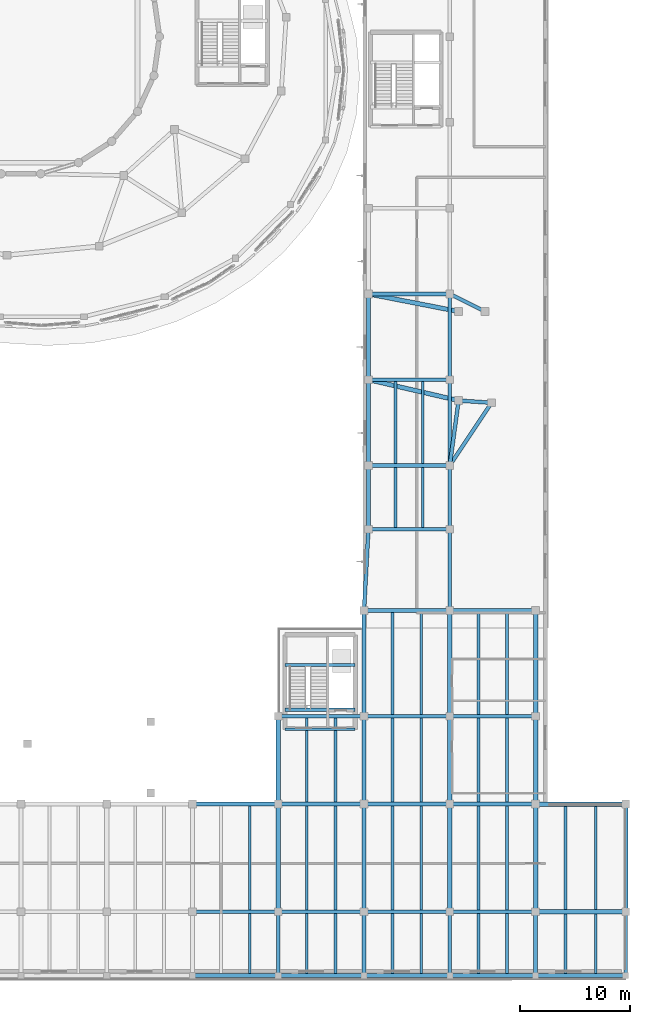
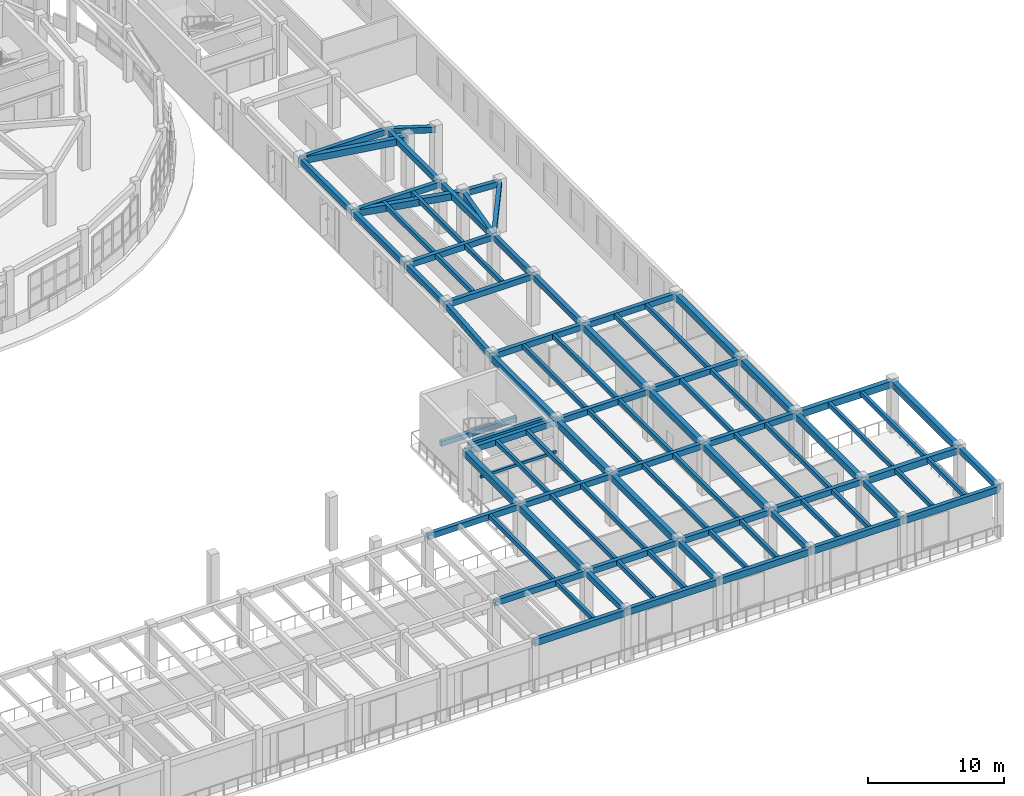
# One storey, part 47 of 98: 90 beams.
"""IFC4 building model written with IfcOpenShell, lengths in metres."""

from ifc_helpers import new_model, si_unit, direction, frame, origin, origin_2d, place, context, subcontext, project, spatial, rectangle, extrude, material, material_profile, profile_set, type_object, element, save


model = new_model("IFC4")

# Units and contexts
model_context = context("Model", 3, precision=1e-05, world=origin(), true_north=direction((0.0, 1.0)))
body_context = subcontext(model_context, "Body", "Model", "MODEL_VIEW")
ifc_project = project(units=[si_unit("LENGTHUNIT", "METRE"), si_unit("AREAUNIT", "SQUARE_METRE"), si_unit("VOLUMEUNIT", "CUBIC_METRE"), si_unit("PLANEANGLEUNIT", "RADIAN"), si_unit("MASSUNIT", "GRAM", prefix="KILO")], contexts=[model_context])

# Site, building, storey
site_placement = place(None, origin())
site = spatial("IfcSite", under=ifc_project, at=site_placement, CompositionType="ELEMENT")
building_placement = place(site_placement, origin())
building = spatial("IfcBuilding", under=site, at=building_placement, Name="Pelvatis Terrace Science Centre", CompositionType="ELEMENT")
storey_placement = place(building_placement, frame((0.0, 0.0, 5.39990234375)))
storey = spatial("IfcBuildingStorey", under=building, at=storey_placement, Name="L01", CompositionType="ELEMENT", Elevation=5.39990234375)

# Beams
ifc_material_1 = material(Name="Concrete C35/45", Category="concrete")
ifc_material_profile_1 = material_profile(ifc_material_1, rectangle(XDim=0.300048828125, YDim=0.449951171875, at=origin_2d()), Name="RC-BM 300x450")
ifc_profile_set_1 = profile_set([ifc_material_profile_1], Name="Concrete C35/45")
beam_type_1 = type_object("IfcBeamType", Name="BM-RC-300x450", PredefinedType="BEAM", material=ifc_profile_set_1)
beam_1_placement = place(storey_placement, frame((133.199951171875, 28.64990234375, 1.97509765625), z_axis=(1.0, 0.0, 0.0), x_axis=(0.0, 1.0, 0.0)))
element("IfcBeam", 1, at=beam_1_placement, inside=storey, type_object=beam_type_1, Name="Core C4 half-landing beam (L01)", PredefinedType="BEAM", context=body_context, shape_type="SweptSolid", body=[
    extrude(rectangle(XDim=0.300048828125, YDim=0.449951171875, at=origin_2d()), origin(), (0.0, 0.0, 1.0), 6.400146484375),
])
ifc_material_2 = material(Name="Concrete C35/45", Category="concrete")
ifc_material_profile_2 = material_profile(ifc_material_2, rectangle(XDim=0.320068359375, YDim=0.47998046875, at=origin_2d()), Name="RC-BM 320x480")
ifc_profile_set_2 = profile_set([ifc_material_profile_2], Name="Concrete C35/45")
beam_type_2 = type_object("IfcBeamType", Name="BM-RC-320x480", PredefinedType="BEAM", material=ifc_profile_set_2)
beam_2_placement = place(storey_placement, frame((133.199951171875, 24.60009765625, 4.300048828125), z_axis=(1.0, 0.0, 0.0), x_axis=(0.0, 1.0, 0.0)))
element("IfcBeam", 2, at=beam_2_placement, inside=storey, type_object=beam_type_2, Name="Core C4 stair header beam (L01)", PredefinedType="BEAM", context=body_context, shape_type="SweptSolid", body=[
    extrude(rectangle(XDim=0.320068359375, YDim=0.47998046875, at=origin_2d()), origin(), (0.0, 0.0, 1.0), 6.400146484375),
])
ifc_material_3 = material(Name="Concrete C35/45", Category="concrete")
ifc_material_profile_3 = material_profile(ifc_material_3, rectangle(XDim=0.340087890625, YDim=0.52001953125, at=origin_2d()), Name="RC-BM 340x520")
ifc_profile_set_3 = profile_set([ifc_material_profile_3], Name="Concrete C35/45")
beam_type_3 = type_object("IfcBeamType", Name="BM-RC-340x520", PredefinedType="BEAM", material=ifc_profile_set_3)
for number, where, z_axis, x_axis, name in (
    (3, (124.800048828125, 6.199951171875, 4.280029296875), (1.0, 0.0, 0.0), (0.0, 1.0, 0.0), "Beam BM-L01-2760"),
    (4, (124.800048828125, 16.0, 4.280029296875), (1.0, 0.0, 0.0), (0.0, 1.0, 0.0), "Beam BM-L01-2761"),
):
    element("IfcBeam", number, at=place(storey_placement, frame(where, z_axis=z_axis, x_axis=x_axis)), inside=storey, type_object=beam_type_3, Name=name, PredefinedType="BEAM", context=body_context, shape_type="SweptSolid", body=[
        extrude(rectangle(XDim=0.340087890625, YDim=0.52001953125, at=origin_2d()), origin(), (0.0, 0.0, 1.0), 7.800048828125),
    ])
beam_3_placement = place(storey_placement, frame((132.60009765625, 0.39990234375, 4.280029296875), z_axis=(0.0, 1.0, 0.0), x_axis=(-1.0, 0.0, 0.0)))
element("IfcBeam", 5, at=beam_3_placement, inside=storey, type_object=beam_type_3, Name="Beam BM-L01-2762", PredefinedType="BEAM", context=body_context, shape_type="SweptSolid", body=[
    extrude(rectangle(XDim=0.340087890625, YDim=0.52001953125, at=origin_2d()), origin(), (0.0, 0.0, 1.0), 5.800048828125),
])
for number, where, z_axis, x_axis, name in (
    (6, (132.60009765625, 6.199951171875, 4.280029296875), (1.0, 0.0, 0.0), (0.0, 1.0, 0.0), "Beam BM-L01-2765"),
    (7, (132.60009765625, 16.0, 4.280029296875), (1.0, 0.0, 0.0), (0.0, 1.0, 0.0), "Beam BM-L01-2767"),
    (8, (132.60009765625, 24.0, 4.280029296875), (1.0, 0.0, 0.0), (0.0, 1.0, 0.0), "Beam BM-L01-2768"),
):
    element("IfcBeam", number, at=place(storey_placement, frame(where, z_axis=z_axis, x_axis=x_axis)), inside=storey, type_object=beam_type_3, Name=name, PredefinedType="BEAM", context=body_context, shape_type="SweptSolid", body=[
        extrude(rectangle(XDim=0.340087890625, YDim=0.52001953125, at=origin_2d()), origin(), (0.0, 0.0, 1.0), 7.7998046875),
    ])
beam_4_placement = place(storey_placement, frame((140.39990234375, 0.39990234375, 4.280029296875), z_axis=(0.0, 1.0, 0.0), x_axis=(-1.0, 0.0, 0.0)))
element("IfcBeam", 9, at=beam_4_placement, inside=storey, type_object=beam_type_3, Name="Beam BM-L01-2769", PredefinedType="BEAM", context=body_context, shape_type="SweptSolid", body=[
    extrude(rectangle(XDim=0.340087890625, YDim=0.52001953125, at=origin_2d()), origin(), (0.0, 0.0, 1.0), 5.800048828125),
])
for number, where, z_axis, x_axis, name in (
    (10, (140.39990234375, 6.199951171875, 4.280029296875), (1.0, 0.0, 0.0), (0.0, 1.0, 0.0), "Beam BM-L01-2772"),
    (11, (140.39990234375, 16.0, 4.280029296875), (1.0, 0.0, 0.0), (0.0, 1.0, 0.0), "Beam BM-L01-2774"),
    (12, (140.39990234375, 24.0, 4.280029296875), (1.0, 0.0, 0.0), (0.0, 1.0, 0.0), "Beam BM-L01-2776"),
    (13, (140.39990234375, 33.60009765625, 4.280029296875), (1.0, 0.0, 0.0), (0.0, 1.0, 0.0), "Beam BM-L01-2777"),
):
    element("IfcBeam", number, at=place(storey_placement, frame(where, z_axis=z_axis, x_axis=x_axis)), inside=storey, type_object=beam_type_3, Name=name, PredefinedType="BEAM", context=body_context, shape_type="SweptSolid", body=[
        extrude(rectangle(XDim=0.340087890625, YDim=0.52001953125, at=origin_2d()), origin(), (0.0, 0.0, 1.0), 7.800048828125),
    ])
beam_5_placement = place(storey_placement, frame((140.39990234375, 33.60009765625, 4.280029296875), z_axis=(0.05399567722, 0.998541169327, 0.0), x_axis=(-0.998541169327, 0.05399567722, 0.0)))
element("IfcBeam", 14, at=beam_5_placement, inside=storey, type_object=beam_type_3, Name="Beam BM-L01-2778", PredefinedType="BEAM", context=body_context, shape_type="SweptSolid", body=[
    extrude(rectangle(XDim=0.340087890625, YDim=0.52001953125, at=origin_2d()), origin(), (0.0, 0.0, 1.0), 7.41064453125),
])
beam_6_placement = place(storey_placement, frame((148.199951171875, 0.39990234375, 4.280029296875), z_axis=(0.0, 1.0, 0.0), x_axis=(-1.0, 0.0, 0.0)))
element("IfcBeam", 15, at=beam_6_placement, inside=storey, type_object=beam_type_3, Name="Beam BM-L01-2779", PredefinedType="BEAM", context=body_context, shape_type="SweptSolid", body=[
    extrude(rectangle(XDim=0.340087890625, YDim=0.52001953125, at=origin_2d()), origin(), (0.0, 0.0, 1.0), 5.800048828125),
])
for number, where, z_axis, x_axis, name in (
    (16, (148.199951171875, 6.199951171875, 4.280029296875), (1.0, 0.0, 0.0), (0.0, 1.0, 0.0), "Beam BM-L01-2782"),
    (17, (148.199951171875, 16.0, 4.280029296875), (1.0, 0.0, 0.0), (0.0, 1.0, 0.0), "Beam BM-L01-2784"),
    (18, (148.199951171875, 24.0, 4.280029296875), (1.0, 0.0, 0.0), (0.0, 1.0, 0.0), "Beam BM-L01-2786"),
    (19, (148.199951171875, 33.60009765625, 4.280029296875), (1.0, 0.0, 0.0), (0.0, 1.0, 0.0), "Beam BM-L01-2787"),
):
    element("IfcBeam", number, at=place(storey_placement, frame(where, z_axis=z_axis, x_axis=x_axis)), inside=storey, type_object=beam_type_3, Name=name, PredefinedType="BEAM", context=body_context, shape_type="SweptSolid", body=[
        extrude(rectangle(XDim=0.340087890625, YDim=0.52001953125, at=origin_2d()), origin(), (0.0, 0.0, 1.0), 7.800048828125),
    ])
beam_7_placement = place(storey_placement, frame((148.199951171875, 33.60009765625, 4.280029296875), z_axis=(0.0, 1.0, 0.0), x_axis=(-1.0, 0.0, 0.0)))
element("IfcBeam", 20, at=beam_7_placement, inside=storey, type_object=beam_type_3, Name="Beam BM-L01-2788", PredefinedType="BEAM", context=body_context, shape_type="SweptSolid", body=[
    extrude(rectangle(XDim=0.340087890625, YDim=0.52001953125, at=origin_2d()), origin(), (0.0, 0.0, 1.0), 7.39990234375),
])
for number, where, z_axis, x_axis, name in (
    (21, (156.0, 0.39990234375, 4.280029296875), (0.0, 1.0, 0.0), (-1.0, 0.0, 0.0), "Beam BM-L01-2789"),
    (22, (164.199951171875, 0.39990234375, 4.280029296875), (0.0, 1.0, 0.0), (-1.0, 0.0, 0.0), "Beam BM-L01-2796"),
    (23, (140.800048828125, 41.0, 4.280029296875), (0.0, 1.0, 0.0), (-1.0, 0.0, 0.0), "Beam BM-L01-2799"),
):
    element("IfcBeam", number, at=place(storey_placement, frame(where, z_axis=z_axis, x_axis=x_axis)), inside=storey, type_object=beam_type_3, Name=name, PredefinedType="BEAM", context=body_context, shape_type="SweptSolid", body=[
        extrude(rectangle(XDim=0.340087890625, YDim=0.52001953125, at=origin_2d()), origin(), (0.0, 0.0, 1.0), 5.800048828125),
    ])
beam_8_placement = place(storey_placement, frame((140.800048828125, 41.0, 4.280029296875), z_axis=(1.0, 0.0, 0.0), x_axis=(0.0, 1.0, 0.0)))
element("IfcBeam", 24, at=beam_8_placement, inside=storey, type_object=beam_type_3, Name="Beam BM-L01-2800", PredefinedType="BEAM", context=body_context, shape_type="SweptSolid", body=[
    extrude(rectangle(XDim=0.340087890625, YDim=0.52001953125, at=origin_2d()), origin(), (0.0, 0.0, 1.0), 7.39990234375),
])
beam_9_placement = place(storey_placement, frame((140.800048828125, 46.800048828125, 4.280029296875), z_axis=(0.0, 1.0, 0.0), x_axis=(-1.0, 0.0, 0.0)))
element("IfcBeam", 25, at=beam_9_placement, inside=storey, type_object=beam_type_3, Name="Beam BM-L01-2801", PredefinedType="BEAM", context=body_context, shape_type="SweptSolid", body=[
    extrude(rectangle(XDim=0.340087890625, YDim=0.52001953125, at=origin_2d()), origin(), (0.0, 0.0, 1.0), 7.800048828125),
])
beam_10_placement = place(storey_placement, frame((140.800048828125, 46.800048828125, 4.280029296875), z_axis=(1.0, 0.0, 0.0), x_axis=(0.0, 1.0, 0.0)))
element("IfcBeam", 26, at=beam_10_placement, inside=storey, type_object=beam_type_3, Name="Beam BM-L01-2802", PredefinedType="BEAM", context=body_context, shape_type="SweptSolid", body=[
    extrude(rectangle(XDim=0.340087890625, YDim=0.52001953125, at=origin_2d()), origin(), (0.0, 0.0, 1.0), 7.39990234375),
])
beam_11_placement = place(storey_placement, frame((140.800048828125, 54.60009765625, 4.280029296875), z_axis=(0.0, 1.0, 0.0), x_axis=(-1.0, 0.0, 0.0)))
element("IfcBeam", 27, at=beam_11_placement, inside=storey, type_object=beam_type_3, Name="Beam BM-L01-2803", PredefinedType="BEAM", context=body_context, shape_type="SweptSolid", body=[
    extrude(rectangle(XDim=0.340087890625, YDim=0.52001953125, at=origin_2d()), origin(), (0.0, 0.0, 1.0), 7.7998046875),
])
for number, where, z_axis, x_axis, name in (
    (28, (140.800048828125, 54.60009765625, 4.280029296875), (1.0, 0.0, 0.0), (0.0, 1.0, 0.0), "Beam BM-L01-2804"),
    (29, (140.800048828125, 62.39990234375, 4.280029296875), (1.0, 0.0, 0.0), (0.0, 1.0, 0.0), "Beam BM-L01-2807"),
):
    element("IfcBeam", number, at=place(storey_placement, frame(where, z_axis=z_axis, x_axis=x_axis)), inside=storey, type_object=beam_type_3, Name=name, PredefinedType="BEAM", context=body_context, shape_type="SweptSolid", body=[
        extrude(rectangle(XDim=0.340087890625, YDim=0.52001953125, at=origin_2d()), origin(), (0.0, 0.0, 1.0), 7.39990234375),
    ])
beam_12_placement = place(storey_placement, frame((148.199951171875, 41.0, 4.280029296875), z_axis=(0.0, 1.0, 0.0), x_axis=(-1.0, 0.0, 0.0)))
element("IfcBeam", 30, at=beam_12_placement, inside=storey, type_object=beam_type_3, Name="Beam BM-L01-2813", PredefinedType="BEAM", context=body_context, shape_type="SweptSolid", body=[
    extrude(rectangle(XDim=0.340087890625, YDim=0.52001953125, at=origin_2d()), origin(), (0.0, 0.0, 1.0), 5.800048828125),
])
beam_13_placement = place(storey_placement, frame((148.199951171875, 46.800048828125, 4.280029296875), z_axis=(0.0, 1.0, 0.0), x_axis=(-1.0, 0.0, 0.0)))
element("IfcBeam", 31, at=beam_13_placement, inside=storey, type_object=beam_type_3, Name="Beam BM-L01-2814", PredefinedType="BEAM", context=body_context, shape_type="SweptSolid", body=[
    extrude(rectangle(XDim=0.340087890625, YDim=0.52001953125, at=origin_2d()), origin(), (0.0, 0.0, 1.0), 7.800048828125),
])
beam_14_placement = place(storey_placement, frame((148.199951171875, 46.800048828125, 4.280029296875), z_axis=(0.554708420396, 0.832044811499, 0.0), x_axis=(-0.832044811499, 0.554708420396, 0.0)))
element("IfcBeam", 32, at=beam_14_placement, inside=storey, type_object=beam_type_3, Name="Beam BM-L01-2815", PredefinedType="BEAM", context=body_context, shape_type="SweptSolid", body=[
    extrude(rectangle(XDim=0.340087890625, YDim=0.52001953125, at=origin_2d()), origin(), (0.0, 0.0, 1.0), 6.8505859375),
])
beam_15_placement = place(storey_placement, frame((148.199951171875, 46.800048828125, 4.280029296875), z_axis=(0.134373909798, 0.990930700082, 0.0), x_axis=(-0.990930700082, 0.134373909798, 0.0)))
element("IfcBeam", 33, at=beam_15_placement, inside=storey, type_object=beam_type_3, Name="Beam BM-L01-2816", PredefinedType="BEAM", context=body_context, shape_type="SweptSolid", body=[
    extrude(rectangle(XDim=0.340087890625, YDim=0.52001953125, at=origin_2d()), origin(), (0.0, 0.0, 1.0), 5.953857421875),
])
beam_16_placement = place(storey_placement, frame((148.199951171875, 54.60009765625, 4.280029296875), z_axis=(0.0, 1.0, 0.0), x_axis=(-1.0, 0.0, 0.0)))
element("IfcBeam", 34, at=beam_16_placement, inside=storey, type_object=beam_type_3, Name="Beam BM-L01-2817", PredefinedType="BEAM", context=body_context, shape_type="SweptSolid", body=[
    extrude(rectangle(XDim=0.340087890625, YDim=0.52001953125, at=origin_2d()), origin(), (0.0, 0.0, 1.0), 7.7998046875),
])
beam_17_placement = place(storey_placement, frame((148.199951171875, 62.39990234375, 4.280029296875), z_axis=(0.894440838876, -0.447186298707, 0.0), x_axis=(0.447186298707, 0.894440838876, 0.0)))
element("IfcBeam", 35, at=beam_17_placement, inside=storey, type_object=beam_type_3, Name="Beam BM-L01-2819", PredefinedType="BEAM", context=body_context, shape_type="SweptSolid", body=[
    extrude(rectangle(XDim=0.340087890625, YDim=0.52001953125, at=origin_2d()), origin(), (0.0, 0.0, 1.0), 3.57763671875),
])
beam_18_placement = place(storey_placement, frame((152.0, 52.5, 4.280029296875), z_axis=(-0.997786235602, 0.066502842363, 0.0), x_axis=(-0.066502842363, -0.997786235602, 0.0)))
element("IfcBeam", 36, at=beam_18_placement, inside=storey, type_object=beam_type_3, Name="Beam BM-L01-2840", PredefinedType="BEAM", context=body_context, shape_type="SweptSolid", body=[
    extrude(rectangle(XDim=0.340087890625, YDim=0.52001953125, at=origin_2d()), origin(), (0.0, 0.0, 1.0), 3.006591796875),
])
ifc_material_4 = material(Name="Concrete C35/45", Category="concrete")
ifc_material_profile_4 = material_profile(ifc_material_4, rectangle(XDim=0.39990234375, YDim=0.60009765625, at=origin_2d()), Name="RC-BM 400x600")
ifc_profile_set_4 = profile_set([ifc_material_profile_4], Name="Concrete C35/45")
beam_type_4 = type_object("IfcBeamType", Name="BM-RC-400x600", PredefinedType="BEAM", material=ifc_profile_set_4)
beam_19_placement = place(storey_placement, frame((132.60009765625, 6.199951171875, 4.239990234375), z_axis=(0.0, 1.0, 0.0), x_axis=(-1.0, 0.0, 0.0)))
element("IfcBeam", 37, at=beam_19_placement, inside=storey, type_object=beam_type_4, Name="Beam BM-L01-2764", PredefinedType="BEAM", context=body_context, shape_type="SweptSolid", body=[
    extrude(rectangle(XDim=0.39990234375, YDim=0.60009765625, at=origin_2d()), origin(), (0.0, 0.0, 1.0), 9.800048828125),
])
beam_20_placement = place(storey_placement, frame((132.60009765625, 16.0, 4.239990234375), z_axis=(0.0, 1.0, 0.0), x_axis=(-1.0, 0.0, 0.0)))
element("IfcBeam", 38, at=beam_20_placement, inside=storey, type_object=beam_type_4, Name="Beam BM-L01-2766", PredefinedType="BEAM", context=body_context, shape_type="SweptSolid", body=[
    extrude(rectangle(XDim=0.39990234375, YDim=0.60009765625, at=origin_2d()), origin(), (0.0, 0.0, 1.0), 8.0),
])
beam_21_placement = place(storey_placement, frame((140.39990234375, 6.199951171875, 4.239990234375), z_axis=(0.0, 1.0, 0.0), x_axis=(-1.0, 0.0, 0.0)))
element("IfcBeam", 39, at=beam_21_placement, inside=storey, type_object=beam_type_4, Name="Beam BM-L01-2771", PredefinedType="BEAM", context=body_context, shape_type="SweptSolid", body=[
    extrude(rectangle(XDim=0.39990234375, YDim=0.60009765625, at=origin_2d()), origin(), (0.0, 0.0, 1.0), 9.800048828125),
])
beam_22_placement = place(storey_placement, frame((140.39990234375, 16.0, 4.239990234375), z_axis=(0.0, 1.0, 0.0), x_axis=(-1.0, 0.0, 0.0)))
element("IfcBeam", 40, at=beam_22_placement, inside=storey, type_object=beam_type_4, Name="Beam BM-L01-2773", PredefinedType="BEAM", context=body_context, shape_type="SweptSolid", body=[
    extrude(rectangle(XDim=0.39990234375, YDim=0.60009765625, at=origin_2d()), origin(), (0.0, 0.0, 1.0), 8.0),
])
beam_23_placement = place(storey_placement, frame((140.39990234375, 24.0, 4.239990234375), z_axis=(0.0, 1.0, 0.0), x_axis=(-1.0, 0.0, 0.0)))
element("IfcBeam", 41, at=beam_23_placement, inside=storey, type_object=beam_type_4, Name="Beam BM-L01-2775", PredefinedType="BEAM", context=body_context, shape_type="SweptSolid", body=[
    extrude(rectangle(XDim=0.39990234375, YDim=0.60009765625, at=origin_2d()), origin(), (0.0, 0.0, 1.0), 9.60009765625),
])
beam_24_placement = place(storey_placement, frame((148.199951171875, 6.199951171875, 4.239990234375), z_axis=(0.0, 1.0, 0.0), x_axis=(-1.0, 0.0, 0.0)))
element("IfcBeam", 42, at=beam_24_placement, inside=storey, type_object=beam_type_4, Name="Beam BM-L01-2781", PredefinedType="BEAM", context=body_context, shape_type="SweptSolid", body=[
    extrude(rectangle(XDim=0.39990234375, YDim=0.60009765625, at=origin_2d()), origin(), (0.0, 0.0, 1.0), 9.800048828125),
])
beam_25_placement = place(storey_placement, frame((148.199951171875, 16.0, 4.239990234375), z_axis=(0.0, 1.0, 0.0), x_axis=(-1.0, 0.0, 0.0)))
element("IfcBeam", 43, at=beam_25_placement, inside=storey, type_object=beam_type_4, Name="Beam BM-L01-2783", PredefinedType="BEAM", context=body_context, shape_type="SweptSolid", body=[
    extrude(rectangle(XDim=0.39990234375, YDim=0.60009765625, at=origin_2d()), origin(), (0.0, 0.0, 1.0), 8.0),
])
beam_26_placement = place(storey_placement, frame((148.199951171875, 24.0, 4.239990234375), z_axis=(0.0, 1.0, 0.0), x_axis=(-1.0, 0.0, 0.0)))
element("IfcBeam", 44, at=beam_26_placement, inside=storey, type_object=beam_type_4, Name="Beam BM-L01-2785", PredefinedType="BEAM", context=body_context, shape_type="SweptSolid", body=[
    extrude(rectangle(XDim=0.39990234375, YDim=0.60009765625, at=origin_2d()), origin(), (0.0, 0.0, 1.0), 9.60009765625),
])
beam_27_placement = place(storey_placement, frame((156.0, 6.199951171875, 4.239990234375), z_axis=(0.0, 1.0, 0.0), x_axis=(-1.0, 0.0, 0.0)))
element("IfcBeam", 45, at=beam_27_placement, inside=storey, type_object=beam_type_4, Name="Beam BM-L01-2791", PredefinedType="BEAM", context=body_context, shape_type="SweptSolid", body=[
    extrude(rectangle(XDim=0.39990234375, YDim=0.60009765625, at=origin_2d()), origin(), (0.0, 0.0, 1.0), 9.800048828125),
])
beam_28_placement = place(storey_placement, frame((156.0, 6.199951171875, 4.239990234375), z_axis=(1.0, 0.0, 0.0), x_axis=(0.0, 1.0, 0.0)))
element("IfcBeam", 46, at=beam_28_placement, inside=storey, type_object=beam_type_4, Name="Beam BM-L01-2792", PredefinedType="BEAM", context=body_context, shape_type="SweptSolid", body=[
    extrude(rectangle(XDim=0.39990234375, YDim=0.60009765625, at=origin_2d()), origin(), (0.0, 0.0, 1.0), 8.199951171875),
])
beam_29_placement = place(storey_placement, frame((156.0, 16.0, 4.239990234375), z_axis=(0.0, 1.0, 0.0), x_axis=(-1.0, 0.0, 0.0)))
element("IfcBeam", 47, at=beam_29_placement, inside=storey, type_object=beam_type_4, Name="Beam BM-L01-2793", PredefinedType="BEAM", context=body_context, shape_type="SweptSolid", body=[
    extrude(rectangle(XDim=0.39990234375, YDim=0.60009765625, at=origin_2d()), origin(), (0.0, 0.0, 1.0), 8.0),
])
beam_30_placement = place(storey_placement, frame((156.0, 16.0, 4.239990234375), z_axis=(1.0, 0.0, 0.0), x_axis=(0.0, 1.0, 0.0)))
element("IfcBeam", 48, at=beam_30_placement, inside=storey, type_object=beam_type_4, Name="Beam BM-L01-2794", PredefinedType="BEAM", context=body_context, shape_type="SweptSolid", body=[
    extrude(rectangle(XDim=0.39990234375, YDim=0.60009765625, at=origin_2d()), origin(), (0.0, 0.0, 1.0), 8.199951171875),
])
beam_31_placement = place(storey_placement, frame((156.0, 24.0, 4.239990234375), z_axis=(0.0, 1.0, 0.0), x_axis=(-1.0, 0.0, 0.0)))
element("IfcBeam", 49, at=beam_31_placement, inside=storey, type_object=beam_type_4, Name="Beam BM-L01-2795", PredefinedType="BEAM", context=body_context, shape_type="SweptSolid", body=[
    extrude(rectangle(XDim=0.39990234375, YDim=0.60009765625, at=origin_2d()), origin(), (0.0, 0.0, 1.0), 9.60009765625),
])
beam_32_placement = place(storey_placement, frame((164.199951171875, 6.199951171875, 4.239990234375), z_axis=(0.0, 1.0, 0.0), x_axis=(-1.0, 0.0, 0.0)))
element("IfcBeam", 50, at=beam_32_placement, inside=storey, type_object=beam_type_4, Name="Beam BM-L01-2797", PredefinedType="BEAM", context=body_context, shape_type="SweptSolid", body=[
    extrude(rectangle(XDim=0.39990234375, YDim=0.60009765625, at=origin_2d()), origin(), (0.0, 0.0, 1.0), 9.800048828125),
])
beam_33_placement = place(storey_placement, frame((140.800048828125, 54.60009765625, 4.239990234375), z_axis=(0.974186455713, -0.22574487703, 0.0), x_axis=(0.22574487703, 0.974186455713, 0.0)))
element("IfcBeam", 51, at=beam_33_placement, inside=storey, type_object=beam_type_4, Name="Beam BM-L01-2805", PredefinedType="BEAM", context=body_context, shape_type="SweptSolid", body=[
    extrude(rectangle(XDim=0.39990234375, YDim=0.60009765625, at=origin_2d()), origin(), (0.0, 0.0, 1.0), 8.417236328125),
])
beam_34_placement = place(storey_placement, frame((140.800048828125, 62.39990234375, 4.239990234375), z_axis=(0.981493673232, -0.191494567562, 0.0), x_axis=(0.191494567562, 0.981493673232, 0.0)))
element("IfcBeam", 52, at=beam_34_placement, inside=storey, type_object=beam_type_4, Name="Beam BM-L01-2808", PredefinedType="BEAM", context=body_context, shape_type="SweptSolid", body=[
    extrude(rectangle(XDim=0.39990234375, YDim=0.60009765625, at=origin_2d()), origin(), (0.0, 0.0, 1.0), 8.3544921875),
])
ifc_material_5 = material(Name="Concrete C35/45", Category="concrete")
ifc_material_profile_5 = material_profile(ifc_material_5, rectangle(XDim=0.25, YDim=0.39990234375, at=origin_2d()), Name="RC-JST 250x400")
ifc_profile_set_5 = profile_set([ifc_material_profile_5], Name="Concrete C35/45")
beam_type_5 = type_object("IfcBeamType", Name="JST-RC-250x400", PredefinedType="JOIST", material=ifc_profile_set_5)
for number, where, z_axis, x_axis, name in (
    (53, (130.0, 0.570068359375, 4.340087890625), (0.0, 1.0, 0.0), (-1.0, 0.0, 0.0), "Secondary floor joist J-L01-2096"),
    (54, (135.199951171875, 0.570068359375, 4.340087890625), (0.0, 1.0, 0.0), (-1.0, 0.0, 0.0), "Secondary floor joist J-L01-2097"),
    (55, (137.800048828125, 0.570068359375, 4.340087890625), (0.0, 1.0, 0.0), (-1.0, 0.0, 0.0), "Secondary floor joist J-L01-2098"),
    (56, (143.0, 0.570068359375, 4.340087890625), (0.0, 1.0, 0.0), (-1.0, 0.0, 0.0), "Secondary floor joist J-L01-2099"),
    (57, (145.60009765625, 0.570068359375, 4.340087890625), (0.0, 1.0, 0.0), (-1.0, 0.0, 0.0), "Secondary floor joist J-L01-2100"),
    (58, (150.800048828125, 0.570068359375, 4.340087890625), (0.0, 1.0, 0.0), (-1.0, 0.0, 0.0), "Secondary floor joist J-L01-2101"),
    (59, (153.39990234375, 0.570068359375, 4.340087890625), (0.0, 1.0, 0.0), (-1.0, 0.0, 0.0), "Secondary floor joist J-L01-2102"),
):
    element("IfcBeam", number, at=place(storey_placement, frame(where, z_axis=z_axis, x_axis=x_axis)), inside=storey, type_object=beam_type_5, Name=name, PredefinedType="JOIST", context=body_context, shape_type="SweptSolid", body=[
        extrude(rectangle(XDim=0.25, YDim=0.39990234375, at=origin_2d()), origin(), (0.0, 0.0, 1.0), 5.4599609375),
    ])
for number, where, z_axis, x_axis, name in (
    (60, (158.7333984375, 0.570068359375, 4.340087890625), (0.0, 1.0, 0.0), (-1.0, 0.0, 0.0), "Secondary floor joist J-L01-2103"),
    (61, (161.466796875, 0.570068359375, 4.340087890625), (0.0, 1.0, 0.0), (-1.0, 0.0, 0.0), "Secondary floor joist J-L01-2104"),
):
    element("IfcBeam", number, at=place(storey_placement, frame(where, z_axis=z_axis, x_axis=x_axis)), inside=storey, type_object=beam_type_5, Name=name, PredefinedType="JOIST", context=body_context, shape_type="SweptSolid", body=[
        extrude(rectangle(XDim=0.25, YDim=0.39990234375, at=origin_2d()), origin(), (0.0, 0.0, 1.0), 5.429931640625),
    ])
for number, where, z_axis, x_axis, name in (
    (62, (130.0, 6.3701171875, 4.340087890625), (0.0, 1.0, 0.0), (-1.0, 0.0, 0.0), "Secondary floor joist J-L01-2122"),
    (63, (135.199951171875, 6.3701171875, 4.340087890625), (0.0, 1.0, 0.0), (-1.0, 0.0, 0.0), "Secondary floor joist J-L01-2123"),
    (64, (137.800048828125, 6.3701171875, 4.340087890625), (0.0, 1.0, 0.0), (-1.0, 0.0, 0.0), "Secondary floor joist J-L01-2124"),
    (65, (143.0, 6.3701171875, 4.340087890625), (0.0, 1.0, 0.0), (-1.0, 0.0, 0.0), "Secondary floor joist J-L01-2125"),
    (66, (145.60009765625, 6.3701171875, 4.340087890625), (0.0, 1.0, 0.0), (-1.0, 0.0, 0.0), "Secondary floor joist J-L01-2126"),
    (67, (150.800048828125, 6.3701171875, 4.340087890625), (0.0, 1.0, 0.0), (-1.0, 0.0, 0.0), "Secondary floor joist J-L01-2127"),
    (68, (153.39990234375, 6.3701171875, 4.340087890625), (0.0, 1.0, 0.0), (-1.0, 0.0, 0.0), "Secondary floor joist J-L01-2128"),
):
    element("IfcBeam", number, at=place(storey_placement, frame(where, z_axis=z_axis, x_axis=x_axis)), inside=storey, type_object=beam_type_5, Name=name, PredefinedType="JOIST", context=body_context, shape_type="SweptSolid", body=[
        extrude(rectangle(XDim=0.25, YDim=0.39990234375, at=origin_2d()), origin(), (0.0, 0.0, 1.0), 9.4599609375),
    ])
for number, where, z_axis, x_axis, name in (
    (69, (158.7333984375, 6.39990234375, 4.340087890625), (0.0, 1.0, 0.0), (-1.0, 0.0, 0.0), "Secondary floor joist J-L01-2129"),
    (70, (161.466796875, 6.39990234375, 4.340087890625), (0.0, 1.0, 0.0), (-1.0, 0.0, 0.0), "Secondary floor joist J-L01-2130"),
):
    element("IfcBeam", number, at=place(storey_placement, frame(where, z_axis=z_axis, x_axis=x_axis)), inside=storey, type_object=beam_type_5, Name=name, PredefinedType="JOIST", context=body_context, shape_type="SweptSolid", body=[
        extrude(rectangle(XDim=0.25, YDim=0.39990234375, at=origin_2d()), origin(), (0.0, 0.0, 1.0), 9.400146484375),
    ])
for number, where, z_axis, x_axis, name in (
    (71, (135.199951171875, 16.169921875, 4.340087890625), (0.0, 1.0, 0.0), (-1.0, 0.0, 0.0), "Secondary floor joist J-L01-2131"),
    (72, (137.800048828125, 16.169921875, 4.340087890625), (0.0, 1.0, 0.0), (-1.0, 0.0, 0.0), "Secondary floor joist J-L01-2132"),
    (73, (143.0, 16.169921875, 4.340087890625), (0.0, 1.0, 0.0), (-1.0, 0.0, 0.0), "Secondary floor joist J-L01-2133"),
    (74, (145.60009765625, 16.169921875, 4.340087890625), (0.0, 1.0, 0.0), (-1.0, 0.0, 0.0), "Secondary floor joist J-L01-2134"),
    (75, (150.800048828125, 16.169921875, 4.340087890625), (0.0, 1.0, 0.0), (-1.0, 0.0, 0.0), "Secondary floor joist J-L01-2135"),
    (76, (153.39990234375, 16.169921875, 4.340087890625), (0.0, 1.0, 0.0), (-1.0, 0.0, 0.0), "Secondary floor joist J-L01-2136"),
):
    element("IfcBeam", number, at=place(storey_placement, frame(where, z_axis=z_axis, x_axis=x_axis)), inside=storey, type_object=beam_type_5, Name=name, PredefinedType="JOIST", context=body_context, shape_type="SweptSolid", body=[
        extrude(rectangle(XDim=0.25, YDim=0.39990234375, at=origin_2d()), origin(), (0.0, 0.0, 1.0), 7.66015625),
    ])
for number, where, z_axis, x_axis, name in (
    (77, (143.0, 24.169921875, 4.340087890625), (0.0, 1.0, 0.0), (-1.0, 0.0, 0.0), "Secondary floor joist J-L01-2137"),
    (78, (145.60009765625, 24.169921875, 4.340087890625), (0.0, 1.0, 0.0), (-1.0, 0.0, 0.0), "Secondary floor joist J-L01-2138"),
    (79, (150.800048828125, 24.169921875, 4.340087890625), (0.0, 1.0, 0.0), (-1.0, 0.0, 0.0), "Secondary floor joist J-L01-2139"),
    (80, (153.39990234375, 24.169921875, 4.340087890625), (0.0, 1.0, 0.0), (-1.0, 0.0, 0.0), "Secondary floor joist J-L01-2140"),
):
    element("IfcBeam", number, at=place(storey_placement, frame(where, z_axis=z_axis, x_axis=x_axis)), inside=storey, type_object=beam_type_5, Name=name, PredefinedType="JOIST", context=body_context, shape_type="SweptSolid", body=[
        extrude(rectangle(XDim=0.25, YDim=0.39990234375, at=origin_2d()), origin(), (0.0, 0.0, 1.0), 9.260009765625),
    ])
for number, where, z_axis, x_axis, name in (
    (81, (143.2666015625, 41.169921875, 4.340087890625), (0.0, 1.0, 0.0), (-1.0, 0.0, 0.0), "Secondary floor joist J-L01-2141"),
    (82, (145.7333984375, 41.169921875, 4.340087890625), (0.0, 1.0, 0.0), (-1.0, 0.0, 0.0), "Secondary floor joist J-L01-2142"),
):
    element("IfcBeam", number, at=place(storey_placement, frame(where, z_axis=z_axis, x_axis=x_axis)), inside=storey, type_object=beam_type_5, Name=name, PredefinedType="JOIST", context=body_context, shape_type="SweptSolid", body=[
        extrude(rectangle(XDim=0.25, YDim=0.39990234375, at=origin_2d()), origin(), (0.0, 0.0, 1.0), 5.4599609375),
    ])
for number, where, z_axis, x_axis, name in (
    (83, (143.2666015625, 46.969970703125, 4.340087890625), (0.0, 1.0, 0.0), (-1.0, 0.0, 0.0), "Secondary floor joist J-L01-2143"),
    (84, (145.7333984375, 46.969970703125, 4.340087890625), (0.0, 1.0, 0.0), (-1.0, 0.0, 0.0), "Secondary floor joist J-L01-2144"),
):
    element("IfcBeam", number, at=place(storey_placement, frame(where, z_axis=z_axis, x_axis=x_axis)), inside=storey, type_object=beam_type_5, Name=name, PredefinedType="JOIST", context=body_context, shape_type="SweptSolid", body=[
        extrude(rectangle(XDim=0.25, YDim=0.39990234375, at=origin_2d()), origin(), (0.0, 0.0, 1.0), 7.4599609375),
    ])
ifc_material_6 = material(Name="Concrete C35/45", Category="concrete")
ifc_material_profile_6 = material_profile(ifc_material_6, rectangle(XDim=0.199951171875, YDim=0.260009765625, at=origin_2d()), Name="RC-LNT 200x260")
ifc_profile_set_6 = profile_set([ifc_material_profile_6], Name="Concrete C35/45")
beam_type_6 = type_object("IfcBeamType", Name="LNT-RC-200x260", PredefinedType="LINTEL", material=ifc_profile_set_6)
beam_35_placement = place(storey_placement, frame((133.199951171875, 22.800048828125, 2.550048828125), z_axis=(1.0, 0.0, 0.0), x_axis=(0.0, 1.0, 0.0)))
element("IfcBeam", 85, at=beam_35_placement, inside=storey, type_object=beam_type_6, Name="Core C4 lobby structural lintel (L01)", PredefinedType="LINTEL", context=body_context, shape_type="SweptSolid", body=[
    extrude(rectangle(XDim=0.199951171875, YDim=0.260009765625, at=origin_2d()), origin(), (0.0, 0.0, 1.0), 6.400146484375),
])
ifc_material_7 = material(Name="Concrete C35/45", Category="concrete")
ifc_material_profile_7 = material_profile(ifc_material_7, rectangle(XDim=0.340087890625, YDim=0.60009765625, at=origin_2d()), Name="RC-SPN 340x600")
ifc_profile_set_7 = profile_set([ifc_material_profile_7], Name="Concrete C35/45")
beam_type_7 = type_object("IfcBeamType", Name="SPN-RC-340x600", PredefinedType="SPANDREL", material=ifc_profile_set_7)
beam_36_placement = place(storey_placement, frame((124.800048828125, 0.39990234375, 4.239990234375), z_axis=(1.0, 0.0, 0.0), x_axis=(0.0, 1.0, 0.0)))
element("IfcBeam", 86, at=beam_36_placement, inside=storey, type_object=beam_type_7, Name="Spandrel SP-L01-2758", PredefinedType="SPANDREL", context=body_context, shape_type="SweptSolid", body=[
    extrude(rectangle(XDim=0.340087890625, YDim=0.60009765625, at=origin_2d()), origin(), (0.0, 0.0, 1.0), 7.800048828125),
])
beam_37_placement = place(storey_placement, frame((132.60009765625, 0.39990234375, 4.239990234375), z_axis=(1.0, 0.0, 0.0), x_axis=(0.0, 1.0, 0.0)))
element("IfcBeam", 87, at=beam_37_placement, inside=storey, type_object=beam_type_7, Name="Spandrel SP-L01-2763", PredefinedType="SPANDREL", context=body_context, shape_type="SweptSolid", body=[
    extrude(rectangle(XDim=0.340087890625, YDim=0.60009765625, at=origin_2d()), origin(), (0.0, 0.0, 1.0), 7.7998046875),
])
for number, where, z_axis, x_axis, name in (
    (88, (140.39990234375, 0.39990234375, 4.239990234375), (1.0, 0.0, 0.0), (0.0, 1.0, 0.0), "Spandrel SP-L01-2770"),
    (89, (148.199951171875, 0.39990234375, 4.239990234375), (1.0, 0.0, 0.0), (0.0, 1.0, 0.0), "Spandrel SP-L01-2780"),
):
    element("IfcBeam", number, at=place(storey_placement, frame(where, z_axis=z_axis, x_axis=x_axis)), inside=storey, type_object=beam_type_7, Name=name, PredefinedType="SPANDREL", context=body_context, shape_type="SweptSolid", body=[
        extrude(rectangle(XDim=0.340087890625, YDim=0.60009765625, at=origin_2d()), origin(), (0.0, 0.0, 1.0), 7.800048828125),
    ])
beam_38_placement = place(storey_placement, frame((156.0, 0.39990234375, 4.239990234375), z_axis=(1.0, 0.0, 0.0), x_axis=(0.0, 1.0, 0.0)))
element("IfcBeam", 90, at=beam_38_placement, inside=storey, type_object=beam_type_7, Name="Spandrel SP-L01-2790", PredefinedType="SPANDREL", context=body_context, shape_type="SweptSolid", body=[
    extrude(rectangle(XDim=0.340087890625, YDim=0.60009765625, at=origin_2d()), origin(), (0.0, 0.0, 1.0), 8.199951171875),
])

save(model, "model.ifc")
